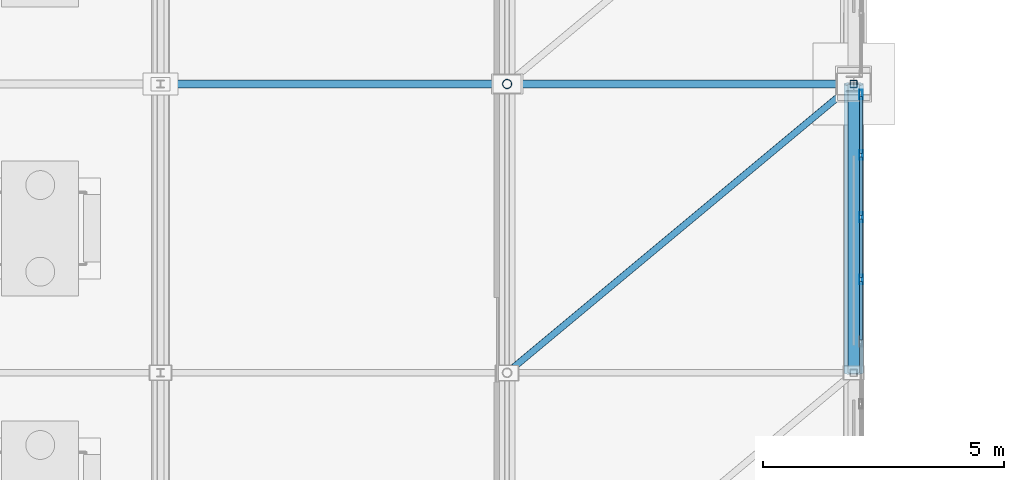
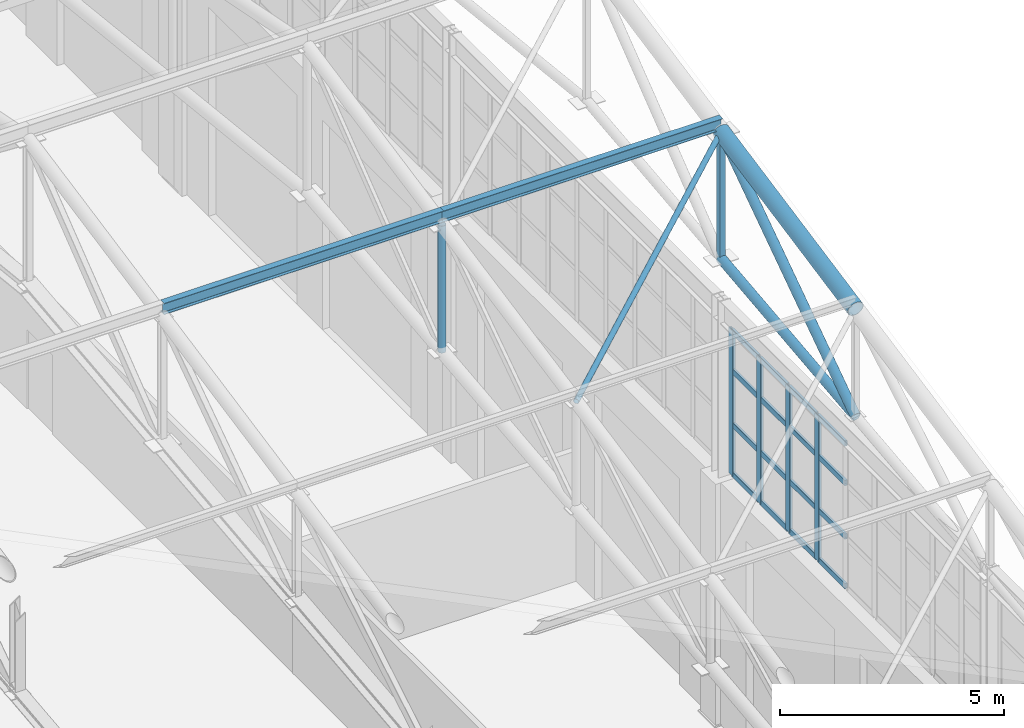
# One storey, part 187 of 293: 28 members, 1 element without a shape of its own.
"""IFC4 building model written with IfcOpenShell, lengths in metres."""

import ifcopenshell
import ifcopenshell.guid

model = None  # the IFC model being written
_history = None  # IfcOwnerHistory: only IFC2X3 demands one
_inside = {}  # id of a spatial element -> (the spatial element, [elements in it])
_under = {}  # id of a project, library or spatial element -> (it, [spatial elements below it])
_declared = {}  # id of a project -> (the project, [libraries it declares])
_typed = {}  # id of a type object -> (the type object, [elements of that type])
_made_of = {}  # id of a material, layer set ... -> (it, [elements and type objects made of it])


def new_model(schema):
    """Start an empty IFC model of exactly this schema.

    Asked for "IFC4X3", IfcOpenShell would pick the latest addendum, in which some entities
    have other attributes; the version numbers below select the first issue.
    IFC2X3 requires an IfcOwnerHistory on every rooted entity: one is made here for all.
    """
    global model, _history
    if schema == "IFC4X3":
        model = ifcopenshell.file(schema_version=(4, 3, 0, 0))
    else:
        model = ifcopenshell.file(schema=schema)
    _inside.clear()
    _under.clear()
    _declared.clear()
    _typed.clear()
    _made_of.clear()
    _history = None
    if model.schema == "IFC2X3":
        org = make("IfcOrganization", Name="unknown")
        user = make(
            "IfcPersonAndOrganization",
            ThePerson=make("IfcPerson", FamilyName="unknown"),
            TheOrganization=org,
        )
        app = make(
            "IfcApplication",
            ApplicationDeveloper=org,
            Version="unknown",
            ApplicationFullName="unknown",
            ApplicationIdentifier="unknown",
        )
        _history = make(
            "IfcOwnerHistory",
            OwningUser=user,
            OwningApplication=app,
            ChangeAction="ADDED",
            CreationDate=0,
        )
    return model


def make(cls, **values):
    """One entity of the class cls with the attributes given. An attribute that is None is left unset."""
    return model.create_entity(
        cls, **{name: value for name, value in values.items() if value is not None}
    )


def rooted(cls, **values):
    """An entity with a GlobalId (a new one), such as an element, a storey or a relation."""
    return make(cls, GlobalId=ifcopenshell.guid.new(), OwnerHistory=_history, **values)


def si_unit(unit_type, name, prefix=None):
    """IfcSIUnit, for example si_unit("LENGTHUNIT", "METRE", prefix="MILLI")."""
    return make("IfcSIUnit", UnitType=unit_type, Prefix=prefix, Name=name)


def assignment(units):
    """IfcUnitAssignment: the units of a project."""
    return None if units is None else make("IfcUnitAssignment", Units=units)


def point(xyz):
    """IfcCartesianPoint."""
    return None if xyz is None else make("IfcCartesianPoint", Coordinates=xyz)


def direction(xyz):
    """IfcDirection."""
    return None if xyz is None else make("IfcDirection", DirectionRatios=xyz)


def frame(location, z_axis=None, x_axis=None):
    """IfcAxis2Placement3D, a coordinate frame: its origin and axes. An axis left out is left unset."""
    return make(
        "IfcAxis2Placement3D",
        Location=point(location),
        Axis=direction(z_axis),
        RefDirection=direction(x_axis),
    )


def frame_2d(location, x_axis=None):
    """IfcAxis2Placement2D, a coordinate frame in the plane: its origin and x axis."""
    return make(
        "IfcAxis2Placement2D", Location=point(location), RefDirection=direction(x_axis)
    )


def origin():
    """The frame at (0, 0, 0) with its axes left unset."""
    return frame((0.0, 0.0, 0.0))


def origin_2d():
    """The frame at (0, 0) in the plane with its x axis left unset."""
    return frame_2d((0.0, 0.0))


def place(relative_to, where):
    """IfcLocalPlacement: puts the frame where relative to a parent placement (None: the world)."""
    return make(
        "IfcLocalPlacement", PlacementRelTo=relative_to, RelativePlacement=where
    )


def context(
    kind, dimensions, precision=None, world=None, true_north=None, identifier=None
):
    """IfcGeometricRepresentationContext, for example the 3D "Model" context."""
    return make(
        "IfcGeometricRepresentationContext",
        ContextIdentifier=identifier,
        ContextType=kind,
        CoordinateSpaceDimension=dimensions,
        Precision=precision,
        WorldCoordinateSystem=world,
        TrueNorth=true_north,
    )


def subcontext(parent, identifier, kind, view, scale=None):
    """IfcGeometricRepresentationSubContext, for example "Body" below "Model"."""
    return make(
        "IfcGeometricRepresentationSubContext",
        ContextIdentifier=identifier,
        ContextType=kind,
        ParentContext=parent,
        TargetScale=scale,
        TargetView=view,
    )


def project(units=None, contexts=None):
    """IfcProject with its units and contexts."""
    return rooted(
        "IfcProject",
        Name="project",
        RepresentationContexts=contexts,
        UnitsInContext=assignment(units),
    )


def spatial(cls, under=None, at=None, **own):
    """A site, building, storey or space (cls), placed at a placement, below another one or the project."""
    s = rooted(cls, ObjectPlacement=at, **own)
    if under is not None:
        _under.setdefault(under.id(), (under, []))[1].append(s)
    return s


def profile(cls, at=None, kind="AREA", **sizes):
    """A parametric profile (cls). Its sizes go by their IFC names, for example OverallWidth=200.0."""
    return make(cls, ProfileType=kind, Position=at, **sizes)


def hollow_rectangle(**sizes):
    """IfcRectangleHollowProfileDef."""
    return profile("IfcRectangleHollowProfileDef", **sizes)


def hollow_circle(**sizes):
    """IfcCircleHollowProfileDef."""
    return profile("IfcCircleHollowProfileDef", **sizes)


def i_section(**sizes):
    """IfcIShapeProfileDef."""
    return profile("IfcIShapeProfileDef", **sizes)


def extrude(swept, where, along, depth):
    """IfcExtrudedAreaSolid: the profile swept, set in the frame where, extruded along a direction by depth."""
    return make(
        "IfcExtrudedAreaSolid",
        SweptArea=swept,
        Position=where,
        ExtrudedDirection=direction(along),
        Depth=depth,
    )


def shape(context_of_items, identifier, shape_type, items):
    """IfcShapeRepresentation: the items that make up one representation, for example the "Body"."""
    return make(
        "IfcShapeRepresentation",
        ContextOfItems=context_of_items,
        RepresentationIdentifier=identifier,
        RepresentationType=shape_type,
        Items=items,
    )


def material(Name=None, Category=None):
    """IfcMaterial."""
    return make("IfcMaterial", Name=Name, Category=Category)


def layer(
    of_material, thickness, ventilated=None, Name=None, Category=None, Priority=None
):
    """IfcMaterialLayer: one layer of a wall or slab, of a material (None: an air gap)."""
    return make(
        "IfcMaterialLayer",
        Material=of_material,
        LayerThickness=thickness,
        IsVentilated=ventilated,
        Name=Name,
        Category=Category,
        Priority=Priority,
    )


def layer_set(layers, Name=None):
    """IfcMaterialLayerSet."""
    return make("IfcMaterialLayerSet", MaterialLayers=layers, LayerSetName=Name)


def material_profile(
    of_material, cross_section, Name=None, Category=None, Priority=None
):
    """IfcMaterialProfile: a cross section and its material."""
    return make(
        "IfcMaterialProfile",
        Name=Name,
        Material=of_material,
        Profile=cross_section,
        Priority=Priority,
        Category=Category,
    )


def profile_set(profiles, Name=None, composite=None):
    """IfcMaterialProfileSet."""
    return make(
        "IfcMaterialProfileSet",
        Name=Name,
        MaterialProfiles=profiles,
        CompositeProfile=composite,
    )


def made_of(thing, what):
    """Note that an element or type object is made of a material, layer set ...; save() writes the relation."""
    if what is not None:
        _made_of.setdefault(what.id(), (what, []))[1].append(thing)
    return thing


def type_object(cls, material=None, **own):
    """A type object (cls), such as IfcWallType, which elements share."""
    return made_of(rooted(cls, **own), material)


def element(
    cls,
    number,
    at=None,
    inside=None,
    cuts=None,
    type_object=None,
    material=None,
    context=None,
    identifier="Body",
    shape_type=None,
    held_by="IfcProductDefinitionShape",
    body=None,
    shapes=None,
    **own,
):
    """One element of the class cls, such as IfcWall. Its Tag is "e" and its number.

    at: its placement. inside: the storey or other place that contains it. cuts: it is an
    opening in that element (IfcRelVoidsElement). A single representation is given by context,
    identifier, shape_type and body (its items); several are given by shapes. held_by: the class
    of the entity that holds the representations. save() writes the other relations.
    """
    e = rooted(cls, Tag="e%d" % number, ObjectPlacement=at, **own)
    if body is not None:
        shapes = [shape(context, identifier, shape_type, body)]
    if shapes is not None:
        e.Representation = make(held_by, Representations=shapes)
    if inside is not None:
        _inside.setdefault(inside.id(), (inside, []))[1].append(e)
    if cuts is not None:
        rooted(
            "IfcRelVoidsElement", RelatingBuildingElement=cuts, RelatedOpeningElement=e
        )
    if type_object is not None:
        _typed.setdefault(type_object.id(), (type_object, []))[1].append(e)
    return made_of(e, material)


def aggregate(whole, parts):
    """IfcRelAggregates: a whole, such as a stair, and the parts it consists of."""
    return rooted("IfcRelAggregates", RelatingObject=whole, RelatedObjects=parts)


def save(model, path):
    """Write the relations noted so far, then the file.

    IfcRelAggregates (storeys below a building ...), IfcRelContainedInSpatialStructure (elements
    in a storey), IfcRelDefinesByType, IfcRelAssociatesMaterial and IfcRelDeclares: one each for
    every whole, place, type object, material and project.
    """
    for whole, parts in _under.values():
        aggregate(whole, parts)
    for where, things in _inside.values():
        rooted(
            "IfcRelContainedInSpatialStructure",
            RelatedElements=things,
            RelatingStructure=where,
        )
    for kind, things in _typed.values():
        rooted("IfcRelDefinesByType", RelatedObjects=things, RelatingType=kind)
    for what, things in _made_of.values():
        rooted("IfcRelAssociatesMaterial", RelatedObjects=things, RelatingMaterial=what)
    for by, libraries in _declared.values():
        rooted("IfcRelDeclares", RelatingContext=by, RelatedDefinitions=libraries)
    model.write(path)


model = new_model("IFC4")

# Units and contexts
model_context = context("Model", 3, precision=1e-05, world=origin(), true_north=direction((0.0, 1.0)))
body_context = subcontext(model_context, "Body", "Model", "MODEL_VIEW")
ifc_project = project(units=[si_unit("LENGTHUNIT", "METRE"), si_unit("AREAUNIT", "SQUARE_METRE"), si_unit("VOLUMEUNIT", "CUBIC_METRE"), si_unit("PLANEANGLEUNIT", "RADIAN"), si_unit("MASSUNIT", "GRAM", prefix="KILO")], contexts=[model_context])

# Site, building, storey
site_placement = place(None, origin())
site = spatial("IfcSite", under=ifc_project, at=site_placement, CompositionType="ELEMENT")
building_placement = place(site_placement, origin())
building = spatial("IfcBuilding", under=site, at=building_placement, Name="Kemerveld Promenade Tramway Depot", CompositionType="ELEMENT")
storey_placement = place(building_placement, origin())
storey = spatial("IfcBuildingStorey", under=building, at=storey_placement, Name="L00", CompositionType="ELEMENT", Elevation=0.0)

# Curtain wall, members
ifc_material_1 = material(Name="Bronze anodised aluminium and solar glass", Category="aluminium")
ifc_layer = layer(ifc_material_1, 0.199951171875)
ifc_layer_set = layer_set([ifc_layer], Name="CW-SYS-12")
curtain_wall_type = type_object("IfcCurtainWallType", Name="CW-SYS-12", PredefinedType="USERDEFINED", material=ifc_layer_set)
curtain_wall_placement = place(storey_placement, origin())
curtain_wall = element("IfcCurtainWall", 1, at=curtain_wall_placement, inside=storey, type_object=curtain_wall_type, Name="CW-V1-E-02", ObjectType="GLAZED_CURTAIN_WALL", PredefinedType="USERDEFINED")
ifc_material_2 = material(Name="Bronze anodised aluminium", Category="aluminium")
ifc_material_profile_1 = material_profile(ifc_material_2, hollow_rectangle(XDim=0.074951171875, YDim=0.199951171875, WallThickness=0.0048828125, InnerFilletRadius=0.001953125, OuterFilletRadius=0.0048828125, at=origin_2d()), Name="CW-MUL-200x75")
ifc_profile_set_1 = profile_set([ifc_material_profile_1], Name="Bronze anodised aluminium")
member_type_1 = type_object("IfcMemberType", Name="CW-MUL-B", PredefinedType="MULLION", material=ifc_profile_set_1)
member_1_placement = place(storey_placement, frame((187.35009765625, 107.779052734375, 6.64990234375), z_axis=(0.0, 0.0, 1.0), x_axis=(1.0, 0.0, 0.0)))
member_1 = element("IfcMember", 2, at=member_1_placement, type_object=member_type_1, Name="CW12 mullion 1", PredefinedType="MULLION", context=body_context, shape_type="SweptSolid", body=[
    extrude(hollow_rectangle(XDim=0.074951171875, YDim=0.199951171875, WallThickness=0.0048828125, InnerFilletRadius=0.001953125, OuterFilletRadius=0.0048828125, at=origin_2d()), origin(), (0.0, 0.0, 1.0), 3.9501953125),
])
member_2_placement = place(storey_placement, frame((187.35009765625, 106.52392578125, 6.64990234375), z_axis=(0.0, 0.0, 1.0), x_axis=(1.0, 0.0, 0.0)))
member_2 = element("IfcMember", 3, at=member_2_placement, type_object=member_type_1, Name="CW12 mullion 2", PredefinedType="MULLION", context=body_context, shape_type="SweptSolid", body=[
    extrude(hollow_rectangle(XDim=0.074951171875, YDim=0.199951171875, WallThickness=0.0048828125, InnerFilletRadius=0.001953125, OuterFilletRadius=0.0048828125, at=origin_2d()), origin(), (0.0, 0.0, 1.0), 3.9501953125),
])
member_3_placement = place(storey_placement, frame((187.35009765625, 105.2314453125, 6.64990234375), z_axis=(0.0, 0.0, 1.0), x_axis=(1.0, 0.0, 0.0)))
member_3 = element("IfcMember", 4, at=member_3_placement, type_object=member_type_1, Name="CW12 mullion 3", PredefinedType="MULLION", context=body_context, shape_type="SweptSolid", body=[
    extrude(hollow_rectangle(XDim=0.074951171875, YDim=0.199951171875, WallThickness=0.0048828125, InnerFilletRadius=0.001953125, OuterFilletRadius=0.0048828125, at=origin_2d()), origin(), (0.0, 0.0, 1.0), 3.9501953125),
])
member_4_placement = place(storey_placement, frame((187.35009765625, 103.938720703125, 6.64990234375), z_axis=(0.0, 0.0, 1.0), x_axis=(1.0, 0.0, 0.0)))
member_4 = element("IfcMember", 5, at=member_4_placement, type_object=member_type_1, Name="CW12 mullion 4", PredefinedType="MULLION", context=body_context, shape_type="SweptSolid", body=[
    extrude(hollow_rectangle(XDim=0.074951171875, YDim=0.199951171875, WallThickness=0.0048828125, InnerFilletRadius=0.001953125, OuterFilletRadius=0.0048828125, at=origin_2d()), origin(), (0.0, 0.0, 1.0), 3.9501953125),
])
ifc_material_profile_2 = material_profile(ifc_material_2, hollow_rectangle(XDim=0.06494140625, YDim=0.14990234375, WallThickness=0.00439453125, InnerFilletRadius=0.001953125, OuterFilletRadius=0.00439453125, at=origin_2d()), Name="CW-TRN-150x65")
ifc_profile_set_2 = profile_set([ifc_material_profile_2], Name="Bronze anodised aluminium")
member_type_2 = type_object("IfcMemberType", Name="CW-TRN-B", PredefinedType="USERDEFINED", material=ifc_profile_set_2)
member_5_placement = place(storey_placement, frame((187.35009765625, 107.741455078125, 6.6826171875), z_axis=(0.0, -1.0, 0.0), x_axis=(1.0, 0.0, 0.0)))
member_5 = element("IfcMember", 6, at=member_5_placement, type_object=member_type_2, Name="CW12 transom 1.1", ObjectType="TRANSOM", PredefinedType="USERDEFINED", context=body_context, shape_type="SweptSolid", body=[
    extrude(hollow_rectangle(XDim=0.06494140625, YDim=0.14990234375, WallThickness=0.00439453125, InnerFilletRadius=0.001953125, OuterFilletRadius=0.00439453125, at=origin_2d()), origin(), (0.0, 0.0, 1.0), 1.179931640625),
])
member_6_placement = place(storey_placement, frame((187.35009765625, 107.741455078125, 8.032958984375), z_axis=(0.0, -1.0, 0.0), x_axis=(1.0, 0.0, 0.0)))
member_6 = element("IfcMember", 7, at=member_6_placement, type_object=member_type_2, Name="CW12 transom 1.2", ObjectType="TRANSOM", PredefinedType="USERDEFINED", context=body_context, shape_type="SweptSolid", body=[
    extrude(hollow_rectangle(XDim=0.06494140625, YDim=0.14990234375, WallThickness=0.00439453125, InnerFilletRadius=0.001953125, OuterFilletRadius=0.00439453125, at=origin_2d()), origin(), (0.0, 0.0, 1.0), 1.179931640625),
])
member_7_placement = place(storey_placement, frame((187.35009765625, 107.741455078125, 9.493896484375), z_axis=(0.0, -1.0, 0.0), x_axis=(1.0, 0.0, 0.0)))
member_7 = element("IfcMember", 8, at=member_7_placement, type_object=member_type_2, Name="CW12 transom 1.3", ObjectType="TRANSOM", PredefinedType="USERDEFINED", context=body_context, shape_type="SweptSolid", body=[
    extrude(hollow_rectangle(XDim=0.06494140625, YDim=0.14990234375, WallThickness=0.00439453125, InnerFilletRadius=0.001953125, OuterFilletRadius=0.00439453125, at=origin_2d()), origin(), (0.0, 0.0, 1.0), 1.179931640625),
])
member_8_placement = place(storey_placement, frame((187.35009765625, 107.741455078125, 10.5673828125), z_axis=(0.0, -1.0, 0.0), x_axis=(1.0, 0.0, 0.0)))
member_8 = element("IfcMember", 9, at=member_8_placement, type_object=member_type_2, Name="CW12 transom 1.4", ObjectType="TRANSOM", PredefinedType="USERDEFINED", context=body_context, shape_type="SweptSolid", body=[
    extrude(hollow_rectangle(XDim=0.06494140625, YDim=0.14990234375, WallThickness=0.00439453125, InnerFilletRadius=0.001953125, OuterFilletRadius=0.00439453125, at=origin_2d()), origin(), (0.0, 0.0, 1.0), 1.179931640625),
])
member_9_placement = place(storey_placement, frame((187.35009765625, 106.486328125, 6.6826171875), z_axis=(0.0, -1.0, 0.0), x_axis=(1.0, 0.0, 0.0)))
member_9 = element("IfcMember", 10, at=member_9_placement, type_object=member_type_2, Name="CW12 transom 2.1", ObjectType="TRANSOM", PredefinedType="USERDEFINED", context=body_context, shape_type="SweptSolid", body=[
    extrude(hollow_rectangle(XDim=0.06494140625, YDim=0.14990234375, WallThickness=0.00439453125, InnerFilletRadius=0.001953125, OuterFilletRadius=0.00439453125, at=origin_2d()), origin(), (0.0, 0.0, 1.0), 1.217529296875),
])
member_10_placement = place(storey_placement, frame((187.35009765625, 106.486328125, 8.032958984375), z_axis=(0.0, -1.0, 0.0), x_axis=(1.0, 0.0, 0.0)))
member_10 = element("IfcMember", 11, at=member_10_placement, type_object=member_type_2, Name="CW12 transom 2.2", ObjectType="TRANSOM", PredefinedType="USERDEFINED", context=body_context, shape_type="SweptSolid", body=[
    extrude(hollow_rectangle(XDim=0.06494140625, YDim=0.14990234375, WallThickness=0.00439453125, InnerFilletRadius=0.001953125, OuterFilletRadius=0.00439453125, at=origin_2d()), origin(), (0.0, 0.0, 1.0), 1.217529296875),
])
member_11_placement = place(storey_placement, frame((187.35009765625, 106.486328125, 9.493896484375), z_axis=(0.0, -1.0, 0.0), x_axis=(1.0, 0.0, 0.0)))
member_11 = element("IfcMember", 12, at=member_11_placement, type_object=member_type_2, Name="CW12 transom 2.3", ObjectType="TRANSOM", PredefinedType="USERDEFINED", context=body_context, shape_type="SweptSolid", body=[
    extrude(hollow_rectangle(XDim=0.06494140625, YDim=0.14990234375, WallThickness=0.00439453125, InnerFilletRadius=0.001953125, OuterFilletRadius=0.00439453125, at=origin_2d()), origin(), (0.0, 0.0, 1.0), 1.217529296875),
])
member_12_placement = place(storey_placement, frame((187.35009765625, 106.486328125, 10.5673828125), z_axis=(0.0, -1.0, 0.0), x_axis=(1.0, 0.0, 0.0)))
member_12 = element("IfcMember", 13, at=member_12_placement, type_object=member_type_2, Name="CW12 transom 2.4", ObjectType="TRANSOM", PredefinedType="USERDEFINED", context=body_context, shape_type="SweptSolid", body=[
    extrude(hollow_rectangle(XDim=0.06494140625, YDim=0.14990234375, WallThickness=0.00439453125, InnerFilletRadius=0.001953125, OuterFilletRadius=0.00439453125, at=origin_2d()), origin(), (0.0, 0.0, 1.0), 1.217529296875),
])
member_13_placement = place(storey_placement, frame((187.35009765625, 105.19384765625, 6.6826171875), z_axis=(0.0, -1.0, 0.0), x_axis=(1.0, 0.0, 0.0)))
member_13 = element("IfcMember", 14, at=member_13_placement, type_object=member_type_2, Name="CW12 transom 3.1", ObjectType="TRANSOM", PredefinedType="USERDEFINED", context=body_context, shape_type="SweptSolid", body=[
    extrude(hollow_rectangle(XDim=0.06494140625, YDim=0.14990234375, WallThickness=0.00439453125, InnerFilletRadius=0.001953125, OuterFilletRadius=0.00439453125, at=origin_2d()), origin(), (0.0, 0.0, 1.0), 1.217529296875),
])
member_14_placement = place(storey_placement, frame((187.35009765625, 105.19384765625, 8.032958984375), z_axis=(0.0, -1.0, 0.0), x_axis=(1.0, 0.0, 0.0)))
member_14 = element("IfcMember", 15, at=member_14_placement, type_object=member_type_2, Name="CW12 transom 3.2", ObjectType="TRANSOM", PredefinedType="USERDEFINED", context=body_context, shape_type="SweptSolid", body=[
    extrude(hollow_rectangle(XDim=0.06494140625, YDim=0.14990234375, WallThickness=0.00439453125, InnerFilletRadius=0.001953125, OuterFilletRadius=0.00439453125, at=origin_2d()), origin(), (0.0, 0.0, 1.0), 1.217529296875),
])
member_15_placement = place(storey_placement, frame((187.35009765625, 105.19384765625, 9.493896484375), z_axis=(0.0, -1.0, 0.0), x_axis=(1.0, 0.0, 0.0)))
member_15 = element("IfcMember", 16, at=member_15_placement, type_object=member_type_2, Name="CW12 transom 3.3", ObjectType="TRANSOM", PredefinedType="USERDEFINED", context=body_context, shape_type="SweptSolid", body=[
    extrude(hollow_rectangle(XDim=0.06494140625, YDim=0.14990234375, WallThickness=0.00439453125, InnerFilletRadius=0.001953125, OuterFilletRadius=0.00439453125, at=origin_2d()), origin(), (0.0, 0.0, 1.0), 1.217529296875),
])
member_16_placement = place(storey_placement, frame((187.35009765625, 105.19384765625, 10.5673828125), z_axis=(0.0, -1.0, 0.0), x_axis=(1.0, 0.0, 0.0)))
member_16 = element("IfcMember", 17, at=member_16_placement, type_object=member_type_2, Name="CW12 transom 3.4", ObjectType="TRANSOM", PredefinedType="USERDEFINED", context=body_context, shape_type="SweptSolid", body=[
    extrude(hollow_rectangle(XDim=0.06494140625, YDim=0.14990234375, WallThickness=0.00439453125, InnerFilletRadius=0.001953125, OuterFilletRadius=0.00439453125, at=origin_2d()), origin(), (0.0, 0.0, 1.0), 1.217529296875),
])
member_17_placement = place(storey_placement, frame((187.35009765625, 103.9013671875, 6.6826171875), z_axis=(0.0, -1.0, 0.0), x_axis=(1.0, 0.0, 0.0)))
member_17 = element("IfcMember", 18, at=member_17_placement, type_object=member_type_2, Name="CW12 transom 4.1", ObjectType="TRANSOM", PredefinedType="USERDEFINED", context=body_context, shape_type="SweptSolid", body=[
    extrude(hollow_rectangle(XDim=0.06494140625, YDim=0.14990234375, WallThickness=0.00439453125, InnerFilletRadius=0.001953125, OuterFilletRadius=0.00439453125, at=origin_2d()), origin(), (0.0, 0.0, 1.0), 1.217529296875),
])
member_18_placement = place(storey_placement, frame((187.35009765625, 103.9013671875, 8.032958984375), z_axis=(0.0, -1.0, 0.0), x_axis=(1.0, 0.0, 0.0)))
member_18 = element("IfcMember", 19, at=member_18_placement, type_object=member_type_2, Name="CW12 transom 4.2", ObjectType="TRANSOM", PredefinedType="USERDEFINED", context=body_context, shape_type="SweptSolid", body=[
    extrude(hollow_rectangle(XDim=0.06494140625, YDim=0.14990234375, WallThickness=0.00439453125, InnerFilletRadius=0.001953125, OuterFilletRadius=0.00439453125, at=origin_2d()), origin(), (0.0, 0.0, 1.0), 1.217529296875),
])
member_19_placement = place(storey_placement, frame((187.35009765625, 103.9013671875, 9.493896484375), z_axis=(0.0, -1.0, 0.0), x_axis=(1.0, 0.0, 0.0)))
member_19 = element("IfcMember", 20, at=member_19_placement, type_object=member_type_2, Name="CW12 transom 4.3", ObjectType="TRANSOM", PredefinedType="USERDEFINED", context=body_context, shape_type="SweptSolid", body=[
    extrude(hollow_rectangle(XDim=0.06494140625, YDim=0.14990234375, WallThickness=0.00439453125, InnerFilletRadius=0.001953125, OuterFilletRadius=0.00439453125, at=origin_2d()), origin(), (0.0, 0.0, 1.0), 1.217529296875),
])
member_20_placement = place(storey_placement, frame((187.35009765625, 103.9013671875, 10.5673828125), z_axis=(0.0, -1.0, 0.0), x_axis=(1.0, 0.0, 0.0)))
member_20 = element("IfcMember", 21, at=member_20_placement, type_object=member_type_2, Name="CW12 transom 4.4", ObjectType="TRANSOM", PredefinedType="USERDEFINED", context=body_context, shape_type="SweptSolid", body=[
    extrude(hollow_rectangle(XDim=0.06494140625, YDim=0.14990234375, WallThickness=0.00439453125, InnerFilletRadius=0.001953125, OuterFilletRadius=0.00439453125, at=origin_2d()), origin(), (0.0, 0.0, 1.0), 1.217529296875),
])
aggregate(curtain_wall, [member_1, member_2, member_3, member_4, member_5, member_6, member_7, member_8, member_9, member_10, member_11, member_12, member_13, member_14, member_15, member_16, member_17, member_18, member_19, member_20])

# Members
ifc_material_3 = material(Name="Steel S355", Category="steel")
ifc_material_profile_3 = material_profile(ifc_material_3, i_section(OverallWidth=0.165771484375, OverallDepth=0.306640625, WebThickness=0.006591796875, FlangeThickness=0.01171875, FilletRadius=0.0087890625, at=origin_2d()), Name="305x165x46 UB")
ifc_profile_set_3 = profile_set([ifc_material_profile_3], Name="Steel S355")
member_type_3 = type_object("IfcMemberType", Name="MB-M06", PredefinedType="PURLIN", material=ifc_profile_set_3)
for number, where, z_axis, x_axis, name in (
    (22, (172.800048828125, 108.0, 16.14501953125), (1.0, 0.0, 0.0), (0.0, 1.0, 0.0), "PUR-V1-04-25"),
    (23, (180.0, 108.0, 16.14501953125), (1.0, 0.0, 0.0), (0.0, 1.0, 0.0), "PUR-V1-04-26"),
):
    element("IfcMember", number, at=place(storey_placement, frame(where, z_axis=z_axis, x_axis=x_axis)), inside=storey, type_object=member_type_3, Name=name, PredefinedType="PURLIN", context=body_context, shape_type="SweptSolid", body=[
        extrude(i_section(OverallWidth=0.165771484375, OverallDepth=0.306640625, WebThickness=0.006591796875, FlangeThickness=0.01171875, FilletRadius=0.0087890625, at=origin_2d()), origin(), (0.0, 0.0, 1.0), 7.199951171875),
    ])
ifc_material_profile_4 = material_profile(ifc_material_3, hollow_circle(Radius=0.122314453125, WallThickness=0.010009765625, at=origin_2d()), Name="244.5x10.0 CHS")
ifc_profile_set_4 = profile_set([ifc_material_profile_4], Name="Steel S355")
member_type_4 = type_object("IfcMemberType", Name="MB-TB1", PredefinedType="BRACE", material=ifc_profile_set_4)
member_21_placement = place(storey_placement, frame((187.199951171875, 102.0, 11.780029296875), z_axis=(0.0, 0.824370638462, 0.566050395673), x_axis=(-1.0, 0.0, 0.0)))
element("IfcMember", 24, at=member_21_placement, inside=storey, type_object=member_type_4, Name="TR-27-DG-04", PredefinedType="BRACE", context=body_context, shape_type="SweptSolid", body=[
    extrude(hollow_circle(Radius=0.122314453125, WallThickness=0.010009765625, at=origin_2d()), origin(), (0.0, 0.0, 1.0), 7.2783203125),
])
ifc_material_profile_5 = material_profile(ifc_material_3, hollow_circle(Radius=0.06982421875, WallThickness=0.00634765625, at=origin_2d()), Name="139.7x6.3 CHS")
ifc_profile_set_5 = profile_set([ifc_material_profile_5], Name="Steel S355")
member_type_5 = type_object("IfcMemberType", Name="MB-TB3", PredefinedType="BRACE", material=ifc_profile_set_5)
member_22_placement = place(storey_placement, frame((180.0, 102.0, 14.699951171875), z_axis=(0.761999094998, 0.635003552225, 0.126995542773), x_axis=(-0.640186961885, 0.768219144407, 0.0)))
element("IfcMember", 25, at=member_22_placement, inside=storey, type_object=member_type_5, Name="RBR-V1-03-26", PredefinedType="BRACE", context=body_context, shape_type="SweptSolid", body=[
    extrude(hollow_circle(Radius=0.06982421875, WallThickness=0.00634765625, at=origin_2d()), origin(), (0.0, 0.0, 1.0), 9.44873046875),
])
ifc_material_profile_6 = material_profile(ifc_material_3, hollow_circle(Radius=0.203125, WallThickness=0.01611328125, at=origin_2d()), Name="406.4x16.0 CHS")
ifc_profile_set_6 = profile_set([ifc_material_profile_6], Name="Steel S355")
member_type_6 = type_object("IfcMemberType", Name="MB-TC1", PredefinedType="CHORD", material=ifc_profile_set_6)
member_23_placement = place(storey_placement, frame((187.199951171875, 102.0, 14.699951171875), z_axis=(0.0, 0.980582210276, 0.196108462057), x_axis=(-1.0, 0.0, 0.0)))
element("IfcMember", 26, at=member_23_placement, inside=storey, type_object=member_type_6, Name="TR-27-TC-04", PredefinedType="CHORD", context=body_context, shape_type="SweptSolid", body=[
    extrude(hollow_circle(Radius=0.203125, WallThickness=0.01611328125, at=origin_2d()), origin(), (0.0, 0.0, 1.0), 6.118896484375),
])
ifc_material_profile_7 = material_profile(ifc_material_3, hollow_circle(Radius=0.122314453125, WallThickness=0.010009765625, at=origin_2d()), Name="244.5x10.0 CHS")
ifc_profile_set_7 = profile_set([ifc_material_profile_7], Name="Steel S355")
member_type_7 = type_object("IfcMemberType", Name="MB-TC3", PredefinedType="CHORD", material=ifc_profile_set_7)
member_24_placement = place(storey_placement, frame((187.199951171875, 102.0, 11.780029296875), z_axis=(0.0, 0.994005938353, 0.109326092585), x_axis=(-1.0, 0.0, 0.0)))
element("IfcMember", 27, at=member_24_placement, inside=storey, type_object=member_type_7, Name="TR-27-BC-04", PredefinedType="CHORD", context=body_context, shape_type="SweptSolid", body=[
    extrude(hollow_circle(Radius=0.122314453125, WallThickness=0.010009765625, at=origin_2d()), origin(), (0.0, 0.0, 1.0), 6.0361328125),
])
ifc_material_profile_8 = material_profile(ifc_material_3, hollow_circle(Radius=0.096923828125, WallThickness=0.008056640625, at=origin_2d()), Name="193.7x8.0 CHS")
ifc_profile_set_8 = profile_set([ifc_material_profile_8], Name="Steel S355")
member_type_8 = type_object("IfcMemberType", Name="MB-TP1", PredefinedType="POST", material=ifc_profile_set_8)
member_25_placement = place(storey_placement, frame((180.0, 108.0, 12.43994140625), z_axis=(0.0, 0.0, 1.0), x_axis=(1.0, 0.0, 0.0)))
element("IfcMember", 28, at=member_25_placement, inside=storey, type_object=member_type_8, Name="TR-26-VT-04", PredefinedType="POST", context=body_context, shape_type="SweptSolid", body=[
    extrude(hollow_circle(Radius=0.096923828125, WallThickness=0.008056640625, at=origin_2d()), origin(), (0.0, 0.0, 1.0), 3.4599609375),
])
ifc_material_profile_9 = material_profile(ifc_material_3, hollow_rectangle(XDim=0.14990234375, YDim=0.14990234375, WallThickness=0.008056640625, InnerFilletRadius=0.00390625, OuterFilletRadius=0.011962890625, at=origin_2d()), Name="150x150x8.0 SHS")
ifc_profile_set_9 = profile_set([ifc_material_profile_9], Name="Steel S355")
member_type_9 = type_object("IfcMemberType", Name="MB-TP2", PredefinedType="POST", material=ifc_profile_set_9)
member_26_placement = place(storey_placement, frame((187.199951171875, 108.0, 12.43994140625), z_axis=(0.0, 0.0, 1.0), x_axis=(1.0, 0.0, 0.0)))
element("IfcMember", 29, at=member_26_placement, inside=storey, type_object=member_type_9, Name="TR-27-VT-04", PredefinedType="POST", context=body_context, shape_type="SweptSolid", body=[
    extrude(hollow_rectangle(XDim=0.14990234375, YDim=0.14990234375, WallThickness=0.008056640625, InnerFilletRadius=0.00390625, OuterFilletRadius=0.011962890625, at=origin_2d()), origin(), (0.0, 0.0, 1.0), 3.4599609375),
])

save(model, "model.ifc")
